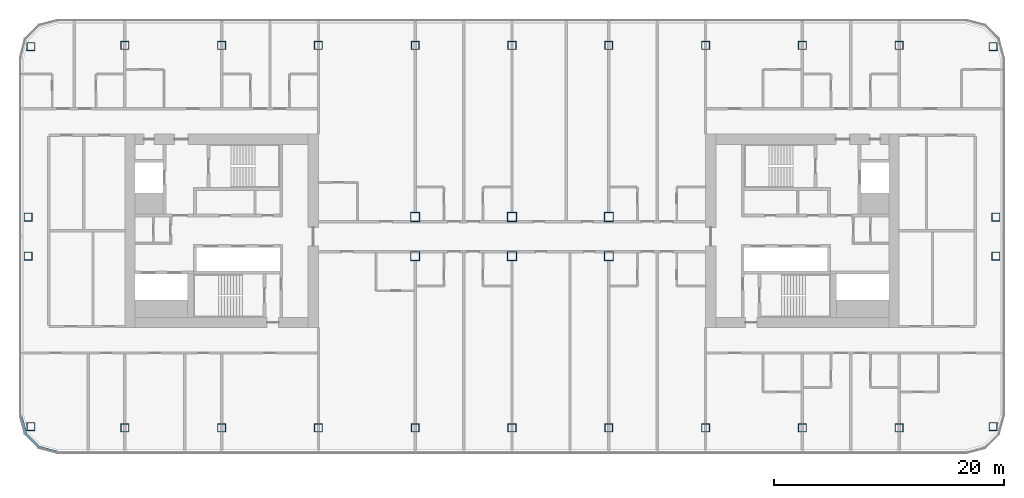
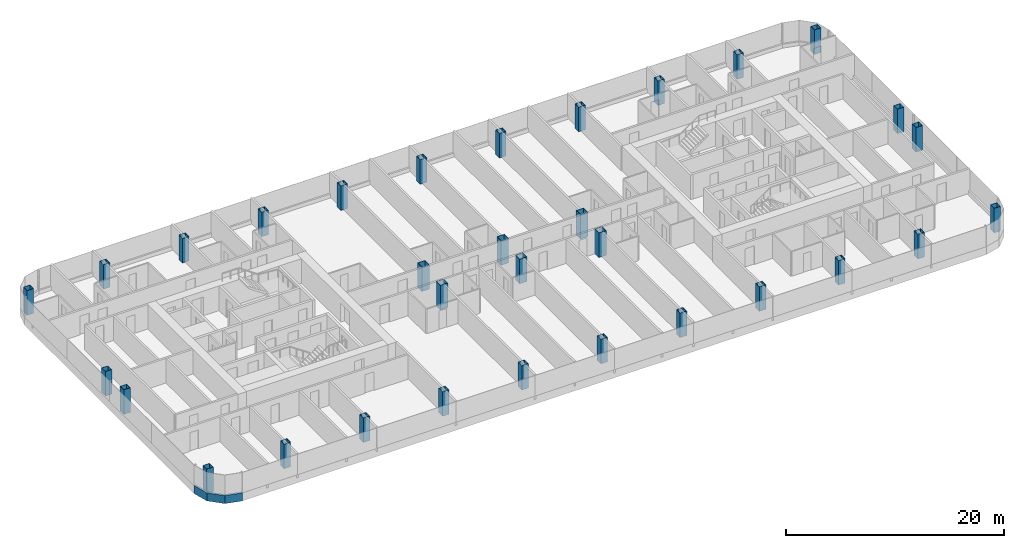
# One storey, part 1 of 26: 32 columns, 1 member, 1 element without a shape of its own.
"""IFC4 building model written with IfcOpenShell, lengths in metres."""

from ifc_helpers import new_model, si_unit, direction, frame, origin, origin_2d, place, context, subcontext, project, spatial, polyline, rectangle, hollow_rectangle, outline, extrude, material, layer, layer_set, material_profile, profile_set, type_object, element, aggregate, save


model = new_model("IFC4")

# Units and contexts
model_context = context("Model", 3, precision=1e-05, world=origin(), true_north=direction((0.0, 1.0)))
body_context = subcontext(model_context, "Body", "Model", "MODEL_VIEW")
ifc_project = project(units=[si_unit("LENGTHUNIT", "METRE"), si_unit("AREAUNIT", "SQUARE_METRE"), si_unit("VOLUMEUNIT", "CUBIC_METRE"), si_unit("PLANEANGLEUNIT", "RADIAN"), si_unit("MASSUNIT", "GRAM", prefix="KILO")], contexts=[model_context])

# Site, building, storey
site_placement = place(None, origin())
site = spatial("IfcSite", under=ifc_project, at=site_placement, CompositionType="ELEMENT")
building_placement = place(site_placement, origin())
building = spatial("IfcBuilding", under=site, at=building_placement, Name="Hakoniwa Tower and Hamabe Station Hall", CompositionType="ELEMENT")
storey_placement = place(building_placement, frame((0.0, 0.0, 153.39990234375)))
storey = spatial("IfcBuildingStorey", under=building, at=storey_placement, Name="L43", CompositionType="ELEMENT", Elevation=153.39990234375)

# Columns
ifc_material_1 = material(Name="Steel SN490C", Category="steel")
ifc_material_profile_1 = material_profile(ifc_material_1, hollow_rectangle(XDim=0.699951171875, YDim=0.699951171875, WallThickness=0.028076171875, at=origin_2d()), Name="BX-700x700x28")
ifc_profile_set_1 = profile_set([ifc_material_profile_1], Name="Steel SN490C")
column_type_1 = type_object("IfcColumnType", Name="COLUMN BX-700x700x28", PredefinedType="COLUMN", material=ifc_profile_set_1)
for number, where, z_axis, x_axis, name in (
    (1, (-41.74853515625, -16.99365234375, 0.0), (0.0, 0.0, 1.0), (1.0, 0.0, 0.0), "Column B3-2-A3"),
    (2, (-42.0, -2.199951171875, 0.0), (0.0, 0.0, 1.0), (1.0, 0.0, 0.0), "Column B3-2-C3"),
    (3, (-42.0, 1.199951171875, 0.0), (0.0, 0.0, 1.0), (1.0, 0.0, 0.0), "Column B3-2-D3"),
    (4, (-41.74853515625, 15.99365234375, 0.0), (0.0, 0.0, 1.0), (1.0, 0.0, 0.0), "Column B3-2-F3"),
    (5, (-33.60009765625, -17.10009765625, 0.0), (0.0, 0.0, 1.0), (1.0, 0.0, 0.0), "Column B3-3-A3"),
    (6, (-33.60009765625, 16.10009765625, 0.0), (0.0, 0.0, 1.0), (1.0, 0.0, 0.0), "Column B3-3-F3"),
    (7, (-25.199951171875, -17.10009765625, 0.0), (0.0, 0.0, 1.0), (1.0, 0.0, 0.0), "Column B3-4-A3"),
    (8, (-25.199951171875, 16.10009765625, 0.0), (0.0, 0.0, 1.0), (1.0, 0.0, 0.0), "Column B3-4-F3"),
    (9, (-16.800048828125, -17.10009765625, 0.0), (0.0, 0.0, 1.0), (1.0, 0.0, 0.0), "Column B3-5-A3"),
    (10, (-16.800048828125, 16.10009765625, 0.0), (0.0, 0.0, 1.0), (1.0, 0.0, 0.0), "Column B3-5-F3"),
    (11, (-8.39990234375, -17.10009765625, 0.0), (0.0, 0.0, 1.0), (1.0, 0.0, 0.0), "Column B3-6-A3"),
    (12, (-8.39990234375, 16.10009765625, 0.0), (0.0, 0.0, 1.0), (1.0, 0.0, 0.0), "Column B3-6-F3"),
    (13, (0.0, -17.10009765625, 0.0), (0.0, 0.0, 1.0), (1.0, 0.0, 0.0), "Column B3-7-A3"),
    (14, (0.0, 16.10009765625, 0.0), (0.0, 0.0, 1.0), (1.0, 0.0, 0.0), "Column B3-7-F3"),
    (15, (8.39990234375, -17.10009765625, 0.0), (0.0, 0.0, 1.0), (1.0, 0.0, 0.0), "Column B3-8-A3"),
    (16, (8.39990234375, 16.10009765625, 0.0), (0.0, 0.0, 1.0), (1.0, 0.0, 0.0), "Column B3-8-F3"),
    (17, (16.800048828125, -17.10009765625, 0.0), (0.0, 0.0, 1.0), (1.0, 0.0, 0.0), "Column B3-9-A3"),
    (18, (16.800048828125, 16.10009765625, 0.0), (0.0, 0.0, 1.0), (1.0, 0.0, 0.0), "Column B3-9-F3"),
    (19, (25.199951171875, -17.10009765625, 0.0), (0.0, 0.0, 1.0), (1.0, 0.0, 0.0), "Column B3-10-A3"),
    (20, (25.199951171875, 16.10009765625, 0.0), (0.0, 0.0, 1.0), (1.0, 0.0, 0.0), "Column B3-10-F3"),
    (21, (33.60009765625, -17.10009765625, 0.0), (0.0, 0.0, 1.0), (1.0, 0.0, 0.0), "Column B3-11-A3"),
    (22, (33.60009765625, 16.10009765625, 0.0), (0.0, 0.0, 1.0), (1.0, 0.0, 0.0), "Column B3-11-F3"),
    (23, (41.74853515625, -16.99365234375, 0.0), (0.0, 0.0, 1.0), (1.0, 0.0, 0.0), "Column B3-12-A3"),
    (24, (42.0, -2.199951171875, 0.0), (0.0, 0.0, 1.0), (1.0, 0.0, 0.0), "Column B3-12-C3"),
    (25, (42.0, 1.199951171875, 0.0), (0.0, 0.0, 1.0), (1.0, 0.0, 0.0), "Column B3-12-D3"),
    (26, (41.74853515625, 15.99365234375, 0.0), (0.0, 0.0, 1.0), (1.0, 0.0, 0.0), "Column B3-12-F3"),
):
    element("IfcColumn", number, at=place(storey_placement, frame(where, z_axis=z_axis, x_axis=x_axis)), inside=storey, type_object=column_type_1, Name=name, PredefinedType="COLUMN", context=body_context, shape_type="SweptSolid", body=[
        extrude(hollow_rectangle(XDim=0.699951171875, YDim=0.699951171875, WallThickness=0.028076171875, at=origin_2d()), origin(), (0.0, 0.0, 1.0), 2.75),
    ])
ifc_material_2 = material(Name="Steel SN490C", Category="steel")
ifc_material_profile_2 = material_profile(ifc_material_2, hollow_rectangle(XDim=0.800048828125, YDim=0.800048828125, WallThickness=0.031982421875, at=origin_2d()), Name="BX-800x800x32")
ifc_profile_set_2 = profile_set([ifc_material_profile_2], Name="Steel SN490C")
column_type_2 = type_object("IfcColumnType", Name="COLUMN BX-800x800x32", PredefinedType="COLUMN", material=ifc_profile_set_2)
for number, where, z_axis, x_axis, name in (
    (27, (-8.39990234375, -2.199951171875, 0.0), (0.0, 0.0, 1.0), (1.0, 0.0, 0.0), "Column B3-6-C3"),
    (28, (-8.39990234375, 1.199951171875, 0.0), (0.0, 0.0, 1.0), (1.0, 0.0, 0.0), "Column B3-6-D3"),
    (29, (0.0, -2.199951171875, 0.0), (0.0, 0.0, 1.0), (1.0, 0.0, 0.0), "Column B3-7-C3"),
    (30, (0.0, 1.199951171875, 0.0), (0.0, 0.0, 1.0), (1.0, 0.0, 0.0), "Column B3-7-D3"),
    (31, (8.39990234375, -2.199951171875, 0.0), (0.0, 0.0, 1.0), (1.0, 0.0, 0.0), "Column B3-8-C3"),
    (32, (8.39990234375, 1.199951171875, 0.0), (0.0, 0.0, 1.0), (1.0, 0.0, 0.0), "Column B3-8-D3"),
):
    element("IfcColumn", number, at=place(storey_placement, frame(where, z_axis=z_axis, x_axis=x_axis)), inside=storey, type_object=column_type_2, Name=name, PredefinedType="COLUMN", context=body_context, shape_type="SweptSolid", body=[
        extrude(hollow_rectangle(XDim=0.800048828125, YDim=0.800048828125, WallThickness=0.031982421875, at=origin_2d()), origin(), (0.0, 0.0, 1.0), 2.75),
    ])

# Curtain wall, member
ifc_material_3 = material(Name="Dark low-e laminated glass", Category="glass")
ifc_layer = layer(ifc_material_3, 0.199951171875)
ifc_layer_set = layer_set([ifc_layer], Name="CW-1 UNITISED GUEST")
curtain_wall_type = type_object("IfcCurtainWallType", Name="CW-1 UNITISED GUEST", PredefinedType="NOTDEFINED", material=ifc_layer_set)
curtain_wall_placement = place(storey_placement, origin())
curtain_wall = element("IfcCurtainWall", 33, at=curtain_wall_placement, inside=storey, type_object=curtain_wall_type, Name="CW-1 curtain wall", PredefinedType="NOTDEFINED")
ifc_material_4 = material(Name="Aluminium 6063-T5 black anodised", Category="aluminium")
ifc_material_profile_3 = material_profile(ifc_material_4, rectangle(XDim=0.199951171875, YDim=0.89990234375, at=origin_2d()), Name="CW SLAB-EDGE BAND 900X200")
ifc_profile_set_3 = profile_set([ifc_material_profile_3], Name="Aluminium 6063-T5 black anodised")
member_type = type_object("IfcMemberType", Name="CW SLAB-EDGE BAND 900X200", PredefinedType="USERDEFINED", material=ifc_profile_set_3)
member_placement = place(storey_placement, frame((0.0, 0.0, -0.5498046875)))
member = element("IfcMember", 34, at=member_placement, type_object=member_type, Name="CW-1 transom", ObjectType="TRANSOM", PredefinedType="USERDEFINED", context=body_context, shape_type="SweptSolid", body=[
    extrude(outline(polyline([(-42.699951171875, -16.03955078125), (-42.26708984375, -17.6552734375), (-41.05517578125, -18.866943359375), (-39.439453125, -19.300048828125), (-39.3876953125, -19.10693359375), (-40.95166015625, -18.687744140625), (-42.087646484375, -17.5517578125), (-42.5068359375, -15.98779296875), (-42.699951171875, -16.03955078125)])), origin(), (0.0, 0.0, 1.0), 0.89990234375),
])
aggregate(curtain_wall, [member])

save(model, "model.ifc")
